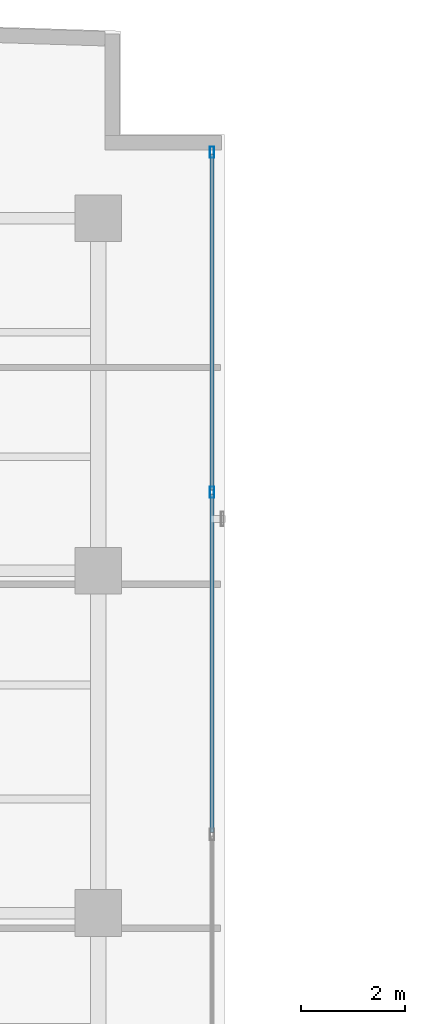
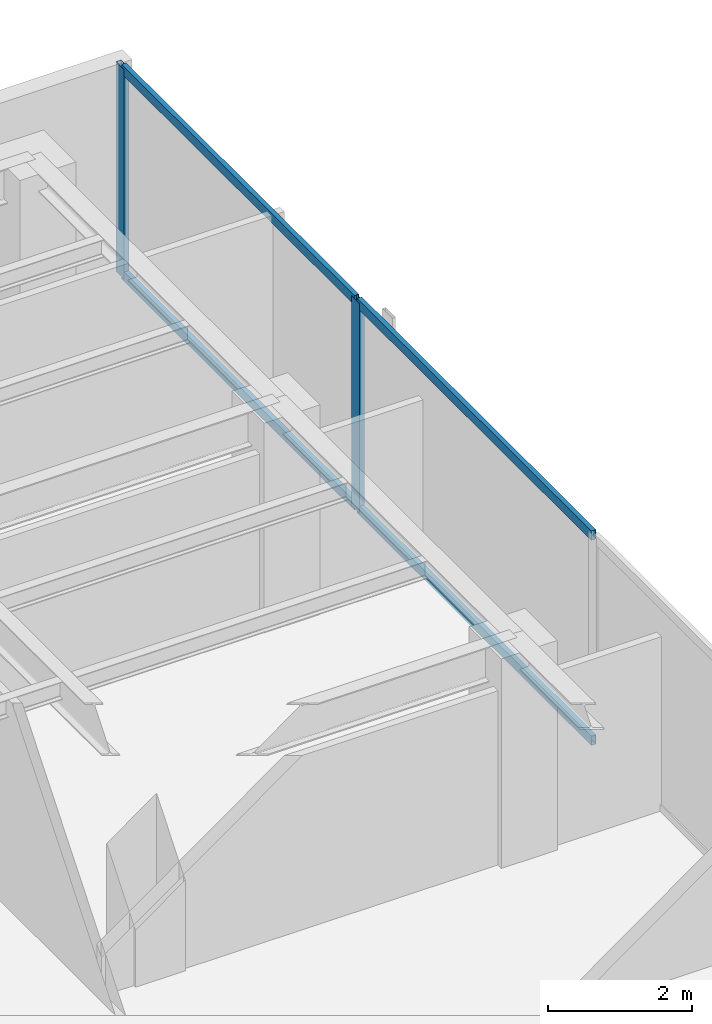
# One storey, part 15 of 22: 6 members, 1 element without a shape of its own.
"""IFC4 building model written with IfcOpenShell, lengths in metres."""

from ifc_helpers import new_model, si_unit, direction, frame, origin, origin_with_axes, origin_2d, place, context, subcontext, project, spatial, hollow_rectangle, extrude, source, transform, mapped, material, layer, layer_set, material_profile, profile_set, type_object, element, aggregate, save


model = new_model("IFC4")

# Units and contexts
model_context = context("Model", 3, precision=1e-05, world=origin(), true_north=direction((0.0, 1.0)))
body_context = subcontext(model_context, "Body", "Model", "MODEL_VIEW")
ifc_project = project(units=[si_unit("LENGTHUNIT", "METRE"), si_unit("AREAUNIT", "SQUARE_METRE"), si_unit("VOLUMEUNIT", "CUBIC_METRE"), si_unit("PLANEANGLEUNIT", "RADIAN"), si_unit("MASSUNIT", "GRAM", prefix="KILO")], contexts=[model_context])

# Site, building, storey
site_placement = place(None, origin())
site = spatial("IfcSite", under=ifc_project, at=site_placement, CompositionType="ELEMENT")
building_placement = place(site_placement, origin())
building = spatial("IfcBuilding", under=site, at=building_placement, Name="Kolvaren Waterfront Exchange", CompositionType="ELEMENT")
storey_placement = place(building_placement, frame((0.0, 0.0, 323.60009765625)))
storey = spatial("IfcBuildingStorey", under=building, at=storey_placement, Name="L83", CompositionType="ELEMENT", Elevation=323.60009765625)

# Curtain wall, members
ifc_material_1 = material(Name="Anodised bronze aluminium 6063-T6", Category="aluminium")
ifc_layer = layer(ifc_material_1, 0.219970703125, Name="Anodised bronze aluminium 6063-T6")
ifc_layer_set = layer_set([ifc_layer], Name="Anodised bronze aluminium 6063-T6")
curtain_wall_type = type_object("IfcCurtainWallType", Name="ARC-CW-SYS1", PredefinedType="USERDEFINED", material=ifc_layer_set)
curtain_wall_placement = place(storey_placement, origin())
curtain_wall = element("IfcCurtainWall", 1, at=curtain_wall_placement, inside=storey, type_object=curtain_wall_type, Name="L83 stick curtain wall CW1 (CW-L83-NE)", ObjectType="STICK CURTAIN WALL", PredefinedType="USERDEFINED")
ifc_material_2 = material(Name="Anodised aluminium 6063-T6", Category="aluminium")
ifc_material_profile_1 = material_profile(ifc_material_2, hollow_rectangle(XDim=0.080078125, YDim=0.219970703125, WallThickness=0.0048828125, at=origin_2d()), Name="ALU-MUL-220x80x5")
ifc_profile_set_1 = profile_set([ifc_material_profile_1], Name="Anodised aluminium 6063-T6")
member_type_1 = type_object("IfcMemberType", Name="ARC-CWM-220", PredefinedType="MULLION", material=ifc_profile_set_1)
shared_shape_1 = source(origin_with_axes(), body_context, "Body", "SweptSolid", [
    extrude(hollow_rectangle(XDim=0.080078125, YDim=0.219970703125, WallThickness=0.0048828125, at=origin_2d()), origin(), (0.0, 0.0, 1.0), 3.559814453125),
])
member_1_placement = place(storey_placement, frame((20.99169921875, 39.314208984375, 0.0), z_axis=(0.0, 0.0, 1.0), x_axis=(-1.0, 0.0, 0.0)))
member_1 = element("IfcMember", 2, at=member_1_placement, type_object=member_type_1, Name="CW1 mullion 3", PredefinedType="MULLION", context=body_context, shape_type="MappedRepresentation", body=[
    mapped(shared_shape_1, transform((0.0, 0.0, 0.0), x_axis=(1.0, 0.0, 0.0), y_axis=(0.0, 1.0, 0.0), z_axis=(0.0, 0.0, 1.0), scale=1.0)),
])
member_2_placement = place(storey_placement, frame((20.99169921875, 45.87060546875, 0.0), z_axis=(0.0, 0.0, 1.0), x_axis=(-1.0, 0.0, 0.0)))
member_2 = element("IfcMember", 3, at=member_2_placement, type_object=member_type_1, Name="CW1 mullion 4", PredefinedType="MULLION", context=body_context, shape_type="MappedRepresentation", body=[
    mapped(shared_shape_1, transform((0.0, 0.0, 0.0), x_axis=(1.0, 0.0, 0.0), y_axis=(0.0, 1.0, 0.0), z_axis=(0.0, 0.0, 1.0), scale=1.0)),
])
ifc_material_profile_2 = material_profile(ifc_material_2, hollow_rectangle(XDim=0.074951171875, YDim=0.159912109375, WallThickness=0.00439453125, at=origin_2d()), Name="ALU-TRN-160x75x4.5")
ifc_profile_set_2 = profile_set([ifc_material_profile_2], Name="Anodised aluminium 6063-T6")
member_type_2 = type_object("IfcMemberType", Name="ARC-CWT-160", PredefinedType="USERDEFINED", material=ifc_profile_set_2)
shared_shape_2 = source(origin_with_axes(), body_context, "Body", "SweptSolid", [
    extrude(hollow_rectangle(XDim=0.074951171875, YDim=0.159912109375, WallThickness=0.00439453125, at=origin_2d()), origin(), (0.0, 0.0, 1.0), 6.476318359375),
])
member_3_placement = place(storey_placement, frame((20.99169921875, 39.354248046875, 0.037353515625), z_axis=(0.0, 1.0, 0.0), x_axis=(-1.0, 0.0, 0.0)))
member_3 = element("IfcMember", 4, at=member_3_placement, type_object=member_type_2, Name="CW1 transom 3.1", ObjectType="TRANSOM", PredefinedType="USERDEFINED", context=body_context, shape_type="MappedRepresentation", body=[
    mapped(shared_shape_2, transform((0.0, 0.0, 0.0), x_axis=(1.0, 0.0, 0.0), y_axis=(0.0, 1.0, 0.0), z_axis=(0.0, 0.0, 1.0), scale=1.0)),
])
member_4_placement = place(storey_placement, frame((20.99169921875, 39.354248046875, 3.5224609375), z_axis=(0.0, 1.0, 0.0), x_axis=(-1.0, 0.0, 0.0)))
member_4 = element("IfcMember", 5, at=member_4_placement, type_object=member_type_2, Name="CW1 transom 3.2", ObjectType="TRANSOM", PredefinedType="USERDEFINED", context=body_context, shape_type="MappedRepresentation", body=[
    mapped(shared_shape_2, transform((0.0, 0.0, 0.0), x_axis=(1.0, 0.0, 0.0), y_axis=(0.0, 1.0, 0.0), z_axis=(0.0, 0.0, 1.0), scale=1.0)),
])
shared_shape_3 = source(origin_with_axes(), body_context, "Body", "SweptSolid", [
    extrude(hollow_rectangle(XDim=0.074951171875, YDim=0.159912109375, WallThickness=0.00439453125, at=origin_2d()), origin(), (0.0, 0.0, 1.0), 6.516357421875),
])
member_5_placement = place(storey_placement, frame((20.99169921875, 32.7578125, 0.037353515625), z_axis=(0.0, 1.0, 0.0), x_axis=(-1.0, 0.0, 0.0)))
member_5 = element("IfcMember", 6, at=member_5_placement, type_object=member_type_2, Name="CW1 transom 2.1", ObjectType="TRANSOM", PredefinedType="USERDEFINED", context=body_context, shape_type="MappedRepresentation", body=[
    mapped(shared_shape_3, transform((0.0, 0.0, 0.0), x_axis=(1.0, 0.0, 0.0), y_axis=(0.0, 1.0, 0.0), z_axis=(0.0, 0.0, 1.0), scale=1.0)),
])
member_6_placement = place(storey_placement, frame((20.99169921875, 32.7578125, 3.5224609375), z_axis=(0.0, 1.0, 0.0), x_axis=(-1.0, 0.0, 0.0)))
member_6 = element("IfcMember", 7, at=member_6_placement, type_object=member_type_2, Name="CW1 transom 2.2", ObjectType="TRANSOM", PredefinedType="USERDEFINED", context=body_context, shape_type="MappedRepresentation", body=[
    mapped(shared_shape_3, transform((0.0, 0.0, 0.0), x_axis=(1.0, 0.0, 0.0), y_axis=(0.0, 1.0, 0.0), z_axis=(0.0, 0.0, 1.0), scale=1.0)),
])
aggregate(curtain_wall, [member_1, member_2, member_5, member_6, member_3, member_4])

save(model, "model.ifc")
